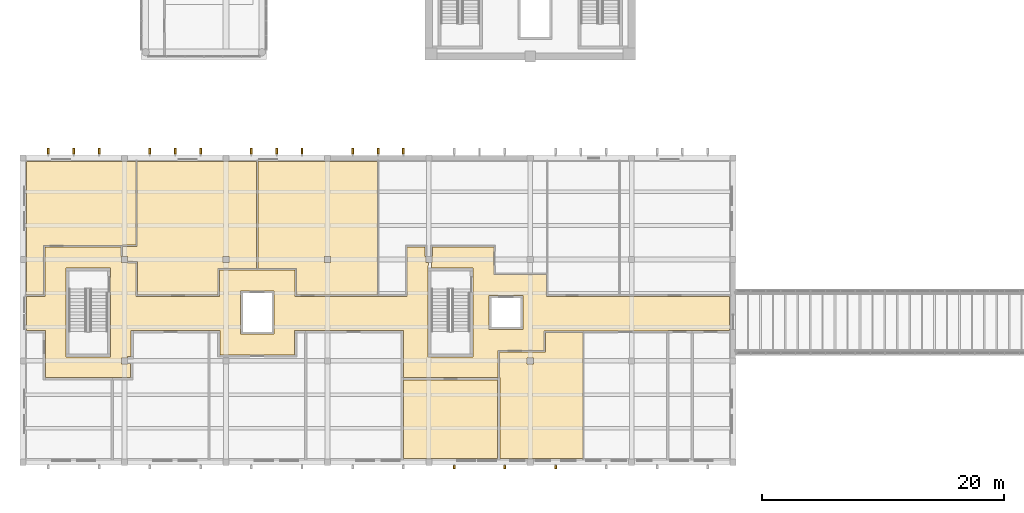
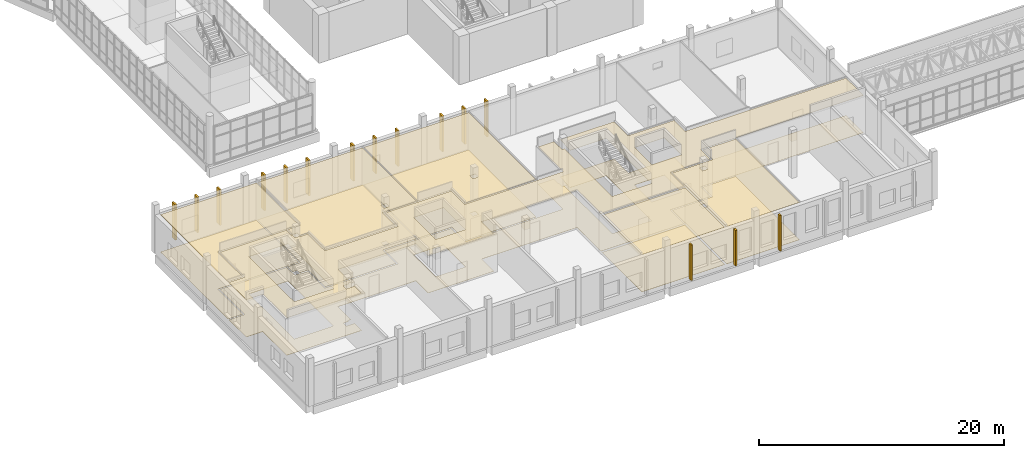
# One storey, part 87 of 119: 27 coverings.
"""IFC4 building model written with IfcOpenShell, lengths in metres."""

from ifc_helpers import new_model, si_unit, direction, frame, origin, place, context, subcontext, project, spatial, polyline, outline, extrude, material, layer, layer_set, type_object, element, save


model = new_model("IFC4")

# Units and contexts
model_context = context("Model", 3, precision=1e-05, world=origin(), true_north=direction((0.0, 1.0)))
body_context = subcontext(model_context, "Body", "Model", "MODEL_VIEW")
ifc_project = project(units=[si_unit("LENGTHUNIT", "METRE"), si_unit("AREAUNIT", "SQUARE_METRE"), si_unit("VOLUMEUNIT", "CUBIC_METRE"), si_unit("PLANEANGLEUNIT", "RADIAN"), si_unit("MASSUNIT", "GRAM", prefix="KILO")], contexts=[model_context])

# Site, building, storey
site_placement = place(None, origin())
site = spatial("IfcSite", under=ifc_project, at=site_placement, CompositionType="ELEMENT")
building_placement = place(site_placement, origin())
building = spatial("IfcBuilding", under=site, at=building_placement, Name="Larchfold Concert Hall", CompositionType="ELEMENT")
storey_placement = place(building_placement, frame((0.0, 0.0, 4.800048828125)))
storey = spatial("IfcBuildingStorey", under=building, at=storey_placement, Name="L01", CompositionType="ELEMENT", Elevation=4.800048828125)

# Coverings
ifc_material_1 = material(Name="Mineral fibre ceiling tile")
ifc_layer_1 = layer(ifc_material_1, 0.02001953125)
ifc_layer_set_1 = layer_set([ifc_layer_1], Name="Mineral fibre ceiling tile")
covering_type_1 = type_object("IfcCoveringType", Name="Ceiling mineral fibre tile 20", PredefinedType="CEILING", material=ifc_layer_set_1)
covering_1_placement = place(storey_placement, frame((0.0, 0.0, 3.719970703125)))
element("IfcCovering", 1, at=covering_1_placement, inside=storey, type_object=covering_type_1, Name="Ceiling Corridor 07", PredefinedType="CEILING", context=body_context, shape_type="SweptSolid", body=[
    extrude(outline(polyline([(2.41357421875, 18.4365234375), (2.41357421875, 14.33740234375), (0.900146484375, 14.33740234375), (0.900146484375, 11.5), (2.449951171875, 11.5), (2.4501953125, 7.60009765625), (9.518798828125, 7.60009765625), (9.518798828125, 8.761962890625), (9.25, 8.765625), (9.25, 8.75), (8.75, 8.75), (8.75, 9.25), (9.25, 9.25), (9.25, 9.3701171875), (9.5498046875, 9.3701171875), (9.5498046875, 11.5), (16.89990234375, 11.5), (16.900146484375, 9.5), (23.099853515625, 9.5), (23.10009765625, 11.5), (32.10009765625, 11.5), (32.10009765625, 7.60009765625), (39.9375, 7.60009765625), (39.9375, 9.862548828125), (43.737548828125, 9.862548828125), (43.737548828125, 11.46240234375), (54.0, 11.46240234375), (54.0, 11.5), (59.099853515625, 11.5), (59.099853515625, 14.33740234375), (43.9375, 14.33642578125), (43.9375, 16.136474609375), (39.58642578125, 16.136474609375), (39.58642578125, 18.4365234375), (34.50244140625, 18.4365234375), (34.50244140625, 18.46240234375), (34.50048828125, 17.669677734375), (34.4375, 17.669921875), (34.4375, 17.64990234375), (34.449951171875, 17.64990234375), (34.449951171875, 17.14990234375), (34.4365234375, 17.14990234375), (34.43994140625, 16.699951171875), (37.85009765625, 16.699951171875), (37.85009765625, 9.300048828125), (34.14990234375, 9.300048828125), (34.14990234375, 16.699951171875), (34.162109375, 17.14990234375), (33.949951171875, 17.14990234375), (33.949951171875, 17.64990234375), (33.8974609375, 17.64990234375), (33.8974609375, 18.4365234375), (32.41357421875, 18.4365234375), (32.41357421875, 18.4990234375), (32.41259765625, 14.33642578125), (23.137451171875, 14.33642578125), (23.136474609375, 16.53662109375), (16.863525390625, 16.53662109375), (16.863525390625, 16.59912109375), (16.862548828125, 14.33642578125), (9.9375, 14.33642578125), (9.9375, 17.097412109375), (10.0, 17.097412109375), (9.27001953125, 17.098388671875), (9.27001953125, 17.161376953125), (9.25, 17.161376953125), (9.25, 17.14990234375), (8.75, 17.14990234375), (8.75, 17.64990234375), (8.765869140625, 17.64990234375), (8.765625, 17.669921875), (8.703369140625, 17.66943359375), (8.697509765625, 18.493408203125), (8.697509765625, 18.4375), (2.41357421875, 18.4365234375)]), holes=[polyline([(42.0, 11.60009765625), (39.199951171875, 11.60009765625), (39.199951171875, 14.39990234375), (42.0, 14.39990234375), (42.0, 11.60009765625)]), polyline([(21.39990234375, 11.199951171875), (18.60009765625, 11.199951171875), (18.60009765625, 14.800048828125), (21.39990234375, 14.800048828125), (21.39990234375, 11.199951171875)]), polyline([(7.85009765625, 9.300048828125), (4.14990234375, 9.300048828125), (4.14990234375, 16.699951171875), (7.85009765625, 16.699951171875), (7.85009765625, 9.300048828125)])]), origin(), (0.0, 0.0, 1.0), 0.02001953125),
])
ifc_material_2 = material(Name="Plasterboard ceiling lining")
ifc_layer_2 = layer(ifc_material_2, 0.030029296875)
ifc_layer_set_2 = layer_set([ifc_layer_2], Name="Plasterboard ceiling lining")
covering_type_2 = type_object("IfcCoveringType", Name="Ceiling suspended plasterboard 30", PredefinedType="CEILING", material=ifc_layer_set_2)
covering_2_placement = place(storey_placement, frame((0.0, 0.0, 3.7099609375)))
element("IfcCovering", 2, at=covering_2_placement, inside=storey, type_object=covering_type_2, Name="Ceiling Ensemble Room 05", PredefinedType="CEILING", context=body_context, shape_type="SweptSolid", body=[
    extrude(outline(polyline([(32.10009765625, 7.39990234375), (32.10009765625, 0.900146484375), (39.89990234375, 0.900146484375), (39.89990234375, 7.39990234375), (32.10009765625, 7.39990234375)])), origin(), (0.0, 0.0, 1.0), 0.030029296875),
])
covering_3_placement = place(storey_placement, frame((0.0, 0.0, 3.7099609375)))
element("IfcCovering", 3, at=covering_3_placement, inside=storey, type_object=covering_type_2, Name="Ceiling Meeting Room 01", PredefinedType="CEILING", context=body_context, shape_type="SweptSolid", body=[
    extrude(outline(polyline([(40.10009765625, 0.900146484375), (46.949951171875, 0.900146484375), (46.949951171875, 11.33740234375), (43.862548828125, 11.33740234375), (43.862548828125, 9.737548828125), (40.0625, 9.737548828125), (40.0625, 7.60009765625), (40.10009765625, 7.60009765625), (40.10009765625, 0.900146484375)]), holes=[polyline([(42.85009765625, 8.75), (42.35009765625, 8.75), (42.35009765625, 9.25), (42.85009765625, 9.25), (42.85009765625, 8.75)])]), origin(), (0.0, 0.0, 1.0), 0.030029296875),
])
covering_4_placement = place(storey_placement, frame((0.0, 0.0, 3.7099609375)))
element("IfcCovering", 4, at=covering_4_placement, inside=storey, type_object=covering_type_2, Name="Ceiling Education Studio 03", PredefinedType="CEILING", context=body_context, shape_type="SweptSolid", body=[
    extrude(outline(polyline([(20.0, 16.66162109375), (23.261474609375, 16.66162109375), (23.262451171875, 14.39990234375), (23.262451171875, 14.46142578125), (30.0, 14.46142578125), (29.949951171875, 14.465087890625), (29.949951171875, 25.5), (20.050048828125, 25.5), (20.050048828125, 16.6650390625), (20.0, 16.66162109375)]), holes=[polyline([(25.550048828125, 17.64990234375), (26.050048828125, 17.64990234375), (26.050048828125, 17.14990234375), (25.550048828125, 17.14990234375), (25.550048828125, 17.64990234375)])]), origin(), (0.0, 0.0, 1.0), 0.030029296875),
])
covering_5_placement = place(storey_placement, frame((0.0, 0.0, 3.7099609375)))
element("IfcCovering", 5, at=covering_5_placement, inside=storey, type_object=covering_type_2, Name="Ceiling Education Studio 02", PredefinedType="CEILING", context=body_context, shape_type="SweptSolid", body=[
    extrude(outline(polyline([(8.822265625, 18.5244140625), (8.828369140625, 17.67041015625), (8.72998046875, 17.669677734375), (8.72998046875, 17.64990234375), (8.742431640625, 17.6171875), (8.75, 17.613037109375), (8.75, 17.64990234375), (9.25, 17.64990234375), (9.25, 17.14990234375), (9.2197265625, 17.14990234375), (9.232177734375, 17.133056640625), (9.27001953125, 17.1328125), (9.27001953125, 17.223388671875), (10.0625, 17.222412109375), (10.0625, 14.46142578125), (16.737548828125, 14.46142578125), (16.737548828125, 14.39990234375), (16.738525390625, 16.66162109375), (20.0, 16.66162109375), (19.949951171875, 16.6650390625), (19.949951171875, 25.5), (10.050048828125, 25.5), (10.050048828125, 18.47998046875), (8.8232421875, 18.474365234375), (8.822265625, 18.5244140625)]), holes=[polyline([(17.64990234375, 17.14990234375), (17.14990234375, 17.14990234375), (17.14990234375, 17.64990234375), (17.64990234375, 17.64990234375), (17.64990234375, 17.14990234375)])]), origin(), (0.0, 0.0, 1.0), 0.030029296875),
])
covering_6_placement = place(storey_placement, frame((0.0, 0.0, 3.7099609375)))
element("IfcCovering", 6, at=covering_6_placement, inside=storey, type_object=covering_type_2, Name="Ceiling Education Studio 01", PredefinedType="CEILING", context=body_context, shape_type="SweptSolid", body=[
    extrude(outline(polyline([(8.822021484375, 18.56298828125), (8.822998046875, 18.49951171875), (8.82275390625, 18.574462890625), (9.94970703125, 18.579833984375), (9.949951171875, 18.51953125), (9.949951171875, 25.5), (0.900146484375, 25.5), (0.900146484375, 14.46240234375), (2.28857421875, 14.46240234375), (2.28857421875, 18.5615234375), (8.822021484375, 18.56298828125)])), origin(), (0.0, 0.0, 1.0), 0.030029296875),
])
ifc_material_3 = material(Name="Linoleum sheet")
ifc_layer_3 = layer(ifc_material_3, 0.02001953125)
ifc_layer_set_3 = layer_set([ifc_layer_3], Name="Linoleum sheet")
covering_type_3 = type_object("IfcCoveringType", Name="Floor finish vinyl 20", PredefinedType="FLOORING", material=ifc_layer_set_3)
covering_7_placement = place(storey_placement, origin())
element("IfcCovering", 7, at=covering_7_placement, inside=storey, type_object=covering_type_3, Name="Floor finish Ensemble Room 05", PredefinedType="FLOORING", context=body_context, shape_type="SweptSolid", body=[
    extrude(outline(polyline([(32.10009765625, 7.39990234375), (32.10009765625, 0.900146484375), (39.89990234375, 0.900146484375), (39.89990234375, 7.39990234375), (32.10009765625, 7.39990234375)])), origin(), (0.0, 0.0, 1.0), 0.02001953125),
])
covering_8_placement = place(storey_placement, origin())
element("IfcCovering", 8, at=covering_8_placement, inside=storey, type_object=covering_type_3, Name="Floor finish Meeting Room 01", PredefinedType="FLOORING", context=body_context, shape_type="SweptSolid", body=[
    extrude(outline(polyline([(40.10009765625, 0.900146484375), (46.949951171875, 0.900146484375), (46.949951171875, 11.33740234375), (43.862548828125, 11.33740234375), (43.862548828125, 9.737548828125), (40.0625, 9.737548828125), (40.0625, 7.60009765625), (40.10009765625, 7.60009765625), (40.10009765625, 0.900146484375)]), holes=[polyline([(42.85009765625, 8.75), (42.35009765625, 8.75), (42.35009765625, 9.25), (42.85009765625, 9.25), (42.85009765625, 8.75)])]), origin(), (0.0, 0.0, 1.0), 0.02001953125),
])
covering_9_placement = place(storey_placement, origin())
element("IfcCovering", 9, at=covering_9_placement, inside=storey, type_object=covering_type_3, Name="Floor finish Corridor 07", PredefinedType="FLOORING", context=body_context, shape_type="SweptSolid", body=[
    extrude(outline(polyline([(2.41357421875, 18.4365234375), (2.41357421875, 14.33740234375), (0.900146484375, 14.33740234375), (0.900146484375, 11.5), (2.449951171875, 11.5), (2.4501953125, 7.60009765625), (9.518798828125, 7.60009765625), (9.518798828125, 8.761962890625), (9.25, 8.765625), (9.25, 8.75), (8.75, 8.75), (8.75, 9.25), (9.25, 9.25), (9.25, 9.3701171875), (9.5498046875, 9.3701171875), (9.5498046875, 11.5), (16.89990234375, 11.5), (16.900146484375, 9.5), (23.099853515625, 9.5), (23.10009765625, 11.5), (32.10009765625, 11.5), (32.10009765625, 7.60009765625), (39.9375, 7.60009765625), (39.9375, 9.862548828125), (43.737548828125, 9.862548828125), (43.737548828125, 11.46240234375), (54.0, 11.46240234375), (54.0, 11.5), (59.099853515625, 11.5), (59.099853515625, 14.33740234375), (43.9375, 14.33642578125), (43.9375, 16.136474609375), (39.58642578125, 16.136474609375), (39.58642578125, 18.4365234375), (34.50244140625, 18.4365234375), (34.50244140625, 18.46240234375), (34.50048828125, 17.669677734375), (34.4375, 17.669921875), (34.4375, 17.64990234375), (34.449951171875, 17.64990234375), (34.449951171875, 17.14990234375), (34.4365234375, 17.14990234375), (34.43994140625, 16.699951171875), (37.85009765625, 16.699951171875), (37.85009765625, 9.300048828125), (34.14990234375, 9.300048828125), (34.14990234375, 16.699951171875), (34.162109375, 17.14990234375), (33.949951171875, 17.14990234375), (33.949951171875, 17.64990234375), (33.8974609375, 17.64990234375), (33.8974609375, 18.4365234375), (32.41357421875, 18.4365234375), (32.41357421875, 18.4990234375), (32.41259765625, 14.33642578125), (23.137451171875, 14.33642578125), (23.136474609375, 16.53662109375), (16.863525390625, 16.53662109375), (16.863525390625, 16.59912109375), (16.862548828125, 14.33642578125), (9.9375, 14.33642578125), (9.9375, 17.097412109375), (10.0, 17.097412109375), (9.27001953125, 17.098388671875), (9.27001953125, 17.161376953125), (9.25, 17.161376953125), (9.25, 17.14990234375), (8.75, 17.14990234375), (8.75, 17.64990234375), (8.765869140625, 17.64990234375), (8.765625, 17.669921875), (8.703369140625, 17.66943359375), (8.697509765625, 18.493408203125), (8.697509765625, 18.4375), (2.41357421875, 18.4365234375)]), holes=[polyline([(42.0, 11.60009765625), (39.199951171875, 11.60009765625), (39.199951171875, 14.39990234375), (42.0, 14.39990234375), (42.0, 11.60009765625)]), polyline([(21.39990234375, 11.199951171875), (18.60009765625, 11.199951171875), (18.60009765625, 14.800048828125), (21.39990234375, 14.800048828125), (21.39990234375, 11.199951171875)]), polyline([(7.85009765625, 9.300048828125), (4.14990234375, 9.300048828125), (4.14990234375, 16.699951171875), (7.85009765625, 16.699951171875), (7.85009765625, 9.300048828125)])]), origin(), (0.0, 0.0, 1.0), 0.02001953125),
])
covering_10_placement = place(storey_placement, origin())
element("IfcCovering", 10, at=covering_10_placement, inside=storey, type_object=covering_type_3, Name="Floor finish Education Studio 03", PredefinedType="FLOORING", context=body_context, shape_type="SweptSolid", body=[
    extrude(outline(polyline([(20.0, 16.66162109375), (23.261474609375, 16.66162109375), (23.262451171875, 14.39990234375), (23.262451171875, 14.46142578125), (30.0, 14.46142578125), (29.949951171875, 14.465087890625), (29.949951171875, 25.5), (20.050048828125, 25.5), (20.050048828125, 16.6650390625), (20.0, 16.66162109375)]), holes=[polyline([(25.550048828125, 17.64990234375), (26.050048828125, 17.64990234375), (26.050048828125, 17.14990234375), (25.550048828125, 17.14990234375), (25.550048828125, 17.64990234375)])]), origin(), (0.0, 0.0, 1.0), 0.02001953125),
])
covering_11_placement = place(storey_placement, origin())
element("IfcCovering", 11, at=covering_11_placement, inside=storey, type_object=covering_type_3, Name="Floor finish Education Studio 02", PredefinedType="FLOORING", context=body_context, shape_type="SweptSolid", body=[
    extrude(outline(polyline([(8.822265625, 18.5244140625), (8.828369140625, 17.67041015625), (8.72998046875, 17.669677734375), (8.72998046875, 17.64990234375), (8.742431640625, 17.6171875), (8.75, 17.613037109375), (8.75, 17.64990234375), (9.25, 17.64990234375), (9.25, 17.14990234375), (9.2197265625, 17.14990234375), (9.232177734375, 17.133056640625), (9.27001953125, 17.1328125), (9.27001953125, 17.223388671875), (10.0625, 17.222412109375), (10.0625, 14.46142578125), (16.737548828125, 14.46142578125), (16.737548828125, 14.39990234375), (16.738525390625, 16.66162109375), (20.0, 16.66162109375), (19.949951171875, 16.6650390625), (19.949951171875, 25.5), (10.050048828125, 25.5), (10.050048828125, 18.47998046875), (8.8232421875, 18.474365234375), (8.822265625, 18.5244140625)]), holes=[polyline([(17.64990234375, 17.14990234375), (17.14990234375, 17.14990234375), (17.14990234375, 17.64990234375), (17.64990234375, 17.64990234375), (17.64990234375, 17.14990234375)])]), origin(), (0.0, 0.0, 1.0), 0.02001953125),
])
covering_12_placement = place(storey_placement, origin())
element("IfcCovering", 12, at=covering_12_placement, inside=storey, type_object=covering_type_3, Name="Floor finish Education Studio 01", PredefinedType="FLOORING", context=body_context, shape_type="SweptSolid", body=[
    extrude(outline(polyline([(8.822021484375, 18.56298828125), (8.822998046875, 18.49951171875), (8.82275390625, 18.574462890625), (9.94970703125, 18.579833984375), (9.949951171875, 18.51953125), (9.949951171875, 25.5), (0.900146484375, 25.5), (0.900146484375, 14.46240234375), (2.28857421875, 14.46240234375), (2.28857421875, 18.5615234375), (8.822021484375, 18.56298828125)])), origin(), (0.0, 0.0, 1.0), 0.02001953125),
])
ifc_material_4 = material(Name="Glulam GL30c", Category="wood")
ifc_layer_4 = layer(ifc_material_4, 0.159912109375)
ifc_layer_set_4 = layer_set([ifc_layer_4], Name="Glulam GL30c")
covering_type_4 = type_object("IfcCoveringType", Name="Glulam fin 160x300", PredefinedType="CLADDING", material=ifc_layer_set_4)
covering_13_placement = place(storey_placement, frame((0.0, 0.0, 0.199951171875)))
element("IfcCovering", 13, at=covering_13_placement, inside=storey, type_object=covering_type_4, Name="Glulam fin FN-L01-030", PredefinedType="CLADDING", context=body_context, shape_type="SweptSolid", body=[
    extrude(outline(polyline([(36.3798828125, 0.050048828125), (36.3798828125, 0.35009765625), (36.219970703125, 0.35009765625), (36.219970703125, 0.050048828125), (36.3798828125, 0.050048828125)])), origin(), (0.0, 0.0, 1.0), 3.5400390625),
])
covering_14_placement = place(storey_placement, frame((0.0, 0.0, 0.199951171875)))
element("IfcCovering", 14, at=covering_14_placement, inside=storey, type_object=covering_type_4, Name="Glulam fin FN-L01-031", PredefinedType="CLADDING", context=body_context, shape_type="SweptSolid", body=[
    extrude(outline(polyline([(40.580078125, 0.050048828125), (40.580078125, 0.35009765625), (40.419921875, 0.35009765625), (40.419921875, 0.050048828125), (40.580078125, 0.050048828125)])), origin(), (0.0, 0.0, 1.0), 3.5400390625),
])
covering_15_placement = place(storey_placement, frame((0.0, 0.0, 0.199951171875)))
element("IfcCovering", 15, at=covering_15_placement, inside=storey, type_object=covering_type_4, Name="Glulam fin FN-L01-032", PredefinedType="CLADDING", context=body_context, shape_type="SweptSolid", body=[
    extrude(outline(polyline([(44.780029296875, 0.050048828125), (44.780029296875, 0.35009765625), (44.6201171875, 0.35009765625), (44.6201171875, 0.050048828125), (44.780029296875, 0.050048828125)])), origin(), (0.0, 0.0, 1.0), 3.5400390625),
])
ifc_material_5 = material(Name="Glulam GL30c", Category="wood")
ifc_layer_5 = layer(ifc_material_5, 0.159912109375)
ifc_layer_set_5 = layer_set([ifc_layer_5], Name="Glulam GL30c")
covering_type_5 = type_object("IfcCoveringType", Name="Glulam fin 160x500", PredefinedType="CLADDING", material=ifc_layer_set_5)
covering_16_placement = place(storey_placement, frame((0.0, 0.0, 0.199951171875)))
element("IfcCovering", 16, at=covering_16_placement, inside=storey, type_object=covering_type_5, Name="Glulam fin FN-L01-010", PredefinedType="CLADDING", context=body_context, shape_type="SweptSolid", body=[
    extrude(outline(polyline([(27.97998046875, 26.10009765625), (27.97998046875, 26.60009765625), (27.820068359375, 26.60009765625), (27.820068359375, 26.10009765625), (27.97998046875, 26.10009765625)])), origin(), (0.0, 0.0, 1.0), 3.5400390625),
])
covering_17_placement = place(storey_placement, frame((0.0, 0.0, 0.199951171875)))
element("IfcCovering", 17, at=covering_17_placement, inside=storey, type_object=covering_type_5, Name="Glulam fin FN-L01-011", PredefinedType="CLADDING", context=body_context, shape_type="SweptSolid", body=[
    extrude(outline(polyline([(30.080078125, 26.10009765625), (30.080078125, 26.60009765625), (29.919921875, 26.60009765625), (29.919921875, 26.10009765625), (30.080078125, 26.10009765625)])), origin(), (0.0, 0.0, 1.0), 3.5400390625),
])
covering_18_placement = place(storey_placement, frame((0.0, 0.0, 0.199951171875)))
element("IfcCovering", 18, at=covering_18_placement, inside=storey, type_object=covering_type_5, Name="Glulam fin FN-L01-012", PredefinedType="CLADDING", context=body_context, shape_type="SweptSolid", body=[
    extrude(outline(polyline([(32.179931640625, 26.10009765625), (32.179931640625, 26.60009765625), (32.02001953125, 26.60009765625), (32.02001953125, 26.10009765625), (32.179931640625, 26.10009765625)])), origin(), (0.0, 0.0, 1.0), 3.5400390625),
])
covering_19_placement = place(storey_placement, frame((0.0, 0.0, 0.199951171875)))
element("IfcCovering", 19, at=covering_19_placement, inside=storey, type_object=covering_type_5, Name="Glulam fin FN-L01-013", PredefinedType="CLADDING", context=body_context, shape_type="SweptSolid", body=[
    extrude(outline(polyline([(19.580078125, 26.10009765625), (19.580078125, 26.60009765625), (19.419921875, 26.60009765625), (19.419921875, 26.10009765625), (19.580078125, 26.10009765625)])), origin(), (0.0, 0.0, 1.0), 3.5400390625),
])
covering_20_placement = place(storey_placement, frame((0.0, 0.0, 0.199951171875)))
element("IfcCovering", 20, at=covering_20_placement, inside=storey, type_object=covering_type_5, Name="Glulam fin FN-L01-014", PredefinedType="CLADDING", context=body_context, shape_type="SweptSolid", body=[
    extrude(outline(polyline([(21.679931640625, 26.10009765625), (21.679931640625, 26.60009765625), (21.52001953125, 26.60009765625), (21.52001953125, 26.10009765625), (21.679931640625, 26.10009765625)])), origin(), (0.0, 0.0, 1.0), 3.5400390625),
])
covering_21_placement = place(storey_placement, frame((0.0, 0.0, 0.199951171875)))
element("IfcCovering", 21, at=covering_21_placement, inside=storey, type_object=covering_type_5, Name="Glulam fin FN-L01-015", PredefinedType="CLADDING", context=body_context, shape_type="SweptSolid", body=[
    extrude(outline(polyline([(23.780029296875, 26.10009765625), (23.780029296875, 26.60009765625), (23.6201171875, 26.60009765625), (23.6201171875, 26.10009765625), (23.780029296875, 26.10009765625)])), origin(), (0.0, 0.0, 1.0), 3.5400390625),
])
covering_22_placement = place(storey_placement, frame((0.0, 0.0, 0.199951171875)))
element("IfcCovering", 22, at=covering_22_placement, inside=storey, type_object=covering_type_5, Name="Glulam fin FN-L01-016", PredefinedType="CLADDING", context=body_context, shape_type="SweptSolid", body=[
    extrude(outline(polyline([(11.179931640625, 26.10009765625), (11.179931640625, 26.60009765625), (11.02001953125, 26.60009765625), (11.02001953125, 26.10009765625), (11.179931640625, 26.10009765625)])), origin(), (0.0, 0.0, 1.0), 3.5400390625),
])
covering_23_placement = place(storey_placement, frame((0.0, 0.0, 0.199951171875)))
element("IfcCovering", 23, at=covering_23_placement, inside=storey, type_object=covering_type_5, Name="Glulam fin FN-L01-017", PredefinedType="CLADDING", context=body_context, shape_type="SweptSolid", body=[
    extrude(outline(polyline([(13.280029296875, 26.10009765625), (13.280029296875, 26.60009765625), (13.1201171875, 26.60009765625), (13.1201171875, 26.10009765625), (13.280029296875, 26.10009765625)])), origin(), (0.0, 0.0, 1.0), 3.5400390625),
])
covering_24_placement = place(storey_placement, frame((0.0, 0.0, 0.199951171875)))
element("IfcCovering", 24, at=covering_24_placement, inside=storey, type_object=covering_type_5, Name="Glulam fin FN-L01-018", PredefinedType="CLADDING", context=body_context, shape_type="SweptSolid", body=[
    extrude(outline(polyline([(15.3798828125, 26.10009765625), (15.3798828125, 26.60009765625), (15.219970703125, 26.60009765625), (15.219970703125, 26.10009765625), (15.3798828125, 26.10009765625)])), origin(), (0.0, 0.0, 1.0), 3.5400390625),
])
covering_25_placement = place(storey_placement, frame((0.0, 0.0, 0.199951171875)))
element("IfcCovering", 25, at=covering_25_placement, inside=storey, type_object=covering_type_5, Name="Glulam fin FN-L01-019", PredefinedType="CLADDING", context=body_context, shape_type="SweptSolid", body=[
    extrude(outline(polyline([(2.780029296875, 26.10009765625), (2.780029296875, 26.60009765625), (2.6201171875, 26.60009765625), (2.6201171875, 26.10009765625), (2.780029296875, 26.10009765625)])), origin(), (0.0, 0.0, 1.0), 3.5400390625),
])
covering_26_placement = place(storey_placement, frame((0.0, 0.0, 0.199951171875)))
element("IfcCovering", 26, at=covering_26_placement, inside=storey, type_object=covering_type_5, Name="Glulam fin FN-L01-020", PredefinedType="CLADDING", context=body_context, shape_type="SweptSolid", body=[
    extrude(outline(polyline([(4.8798828125, 26.10009765625), (4.8798828125, 26.60009765625), (4.719970703125, 26.60009765625), (4.719970703125, 26.10009765625), (4.8798828125, 26.10009765625)])), origin(), (0.0, 0.0, 1.0), 3.5400390625),
])
covering_27_placement = place(storey_placement, frame((0.0, 0.0, 0.199951171875)))
element("IfcCovering", 27, at=covering_27_placement, inside=storey, type_object=covering_type_5, Name="Glulam fin FN-L01-021", PredefinedType="CLADDING", context=body_context, shape_type="SweptSolid", body=[
    extrude(outline(polyline([(6.97998046875, 26.10009765625), (6.97998046875, 26.60009765625), (6.820068359375, 26.60009765625), (6.820068359375, 26.10009765625), (6.97998046875, 26.10009765625)])), origin(), (0.0, 0.0, 1.0), 3.5400390625),
])

save(model, "model.ifc")
